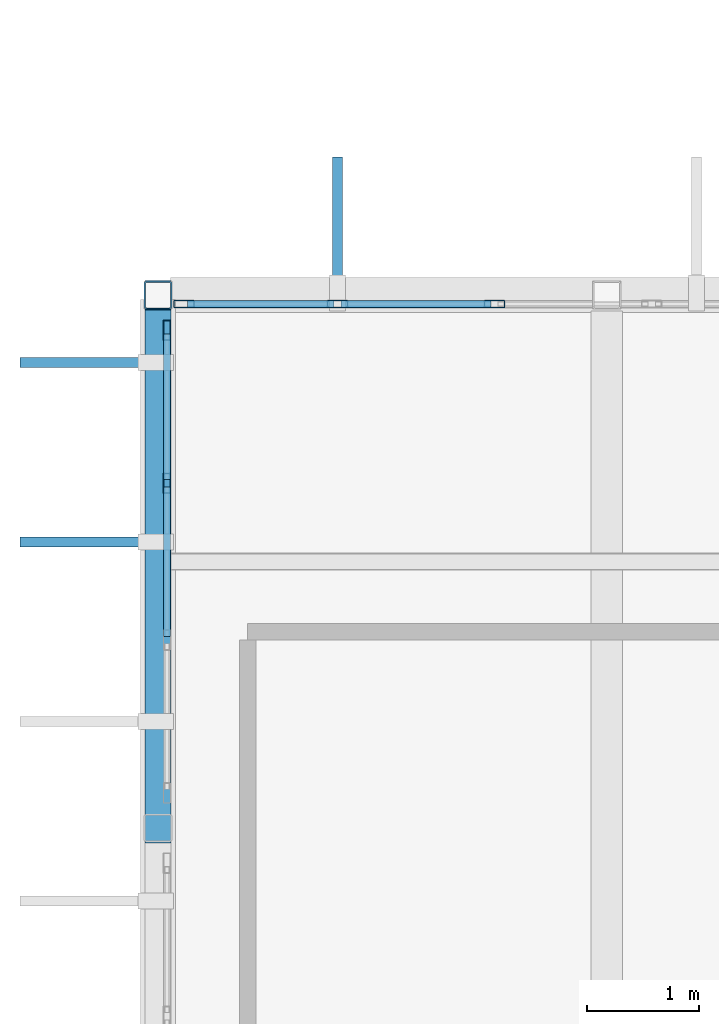
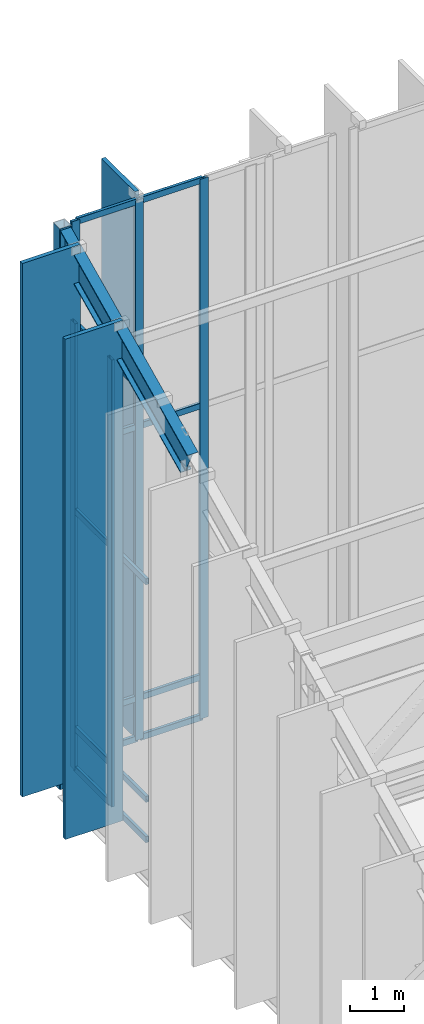
# One storey, part 29 of 68: 25 members, 1 beam, 2 elements without a shape of their own.
"""IFC4 building model written with IfcOpenShell, lengths in metres."""

from ifc_helpers import new_model, si_unit, direction, frame, origin, origin_2d, place, context, subcontext, project, spatial, rectangle, hollow_rectangle, i_section, extrude, material, material_profile, profile_set, type_object, element, aggregate, save


model = new_model("IFC4")

# Units and contexts
model_context = context("Model", 3, precision=1e-05, world=origin(), true_north=direction((0.0, 1.0)))
body_context = subcontext(model_context, "Body", "Model", "MODEL_VIEW")
ifc_project = project(units=[si_unit("LENGTHUNIT", "METRE"), si_unit("AREAUNIT", "SQUARE_METRE"), si_unit("VOLUMEUNIT", "CUBIC_METRE"), si_unit("PLANEANGLEUNIT", "RADIAN"), si_unit("MASSUNIT", "GRAM", prefix="KILO")], contexts=[model_context])

# Site, building, storey
site_placement = place(None, origin())
site = spatial("IfcSite", under=ifc_project, at=site_placement, CompositionType="ELEMENT")
building_placement = place(site_placement, origin())
building = spatial("IfcBuilding", under=site, at=building_placement, Name="Miravela Opera House", CompositionType="ELEMENT")
storey_placement = place(building_placement, frame((0.0, 0.0, 21.760009765625)))
storey = spatial("IfcBuildingStorey", under=building, at=storey_placement, Name="L05", CompositionType="ELEMENT", Elevation=21.760009765625)

# Curtain wall, members
ifc_material_1 = material(Name="Anodised architectural bronze aluminium 6063-T6", Category="aluminium")
curtain_wall_type = type_object("IfcCurtainWallType", Name="ARC-CW-03", PredefinedType="NOTDEFINED", material=ifc_material_1)
curtain_wall_1_placement = place(storey_placement, origin())
curtain_wall_1 = element("IfcCurtainWall", 1, at=curtain_wall_1_placement, inside=storey, type_object=curtain_wall_type, Name="Cantilever West Wrapper Glazing B8 CW-L05-054", PredefinedType="NOTDEFINED")
ifc_material_profile_1 = material_profile(ifc_material_1, hollow_rectangle(XDim=0.06494140625, YDim=0.179931640625, WallThickness=0.00390625, InnerFilletRadius=0.001953125, OuterFilletRadius=0.00390625, at=origin_2d()), Name="CWM-65X180")
ifc_profile_set_1 = profile_set([ifc_material_profile_1])
member_type_1 = type_object("IfcMemberType", Name="ARC-CWM-180", PredefinedType="MULLION", material=ifc_profile_set_1)
member_1_placement = place(storey_placement, frame((15.080078125, 73.3232421875, 0.0), z_axis=(0.0, 0.0, 1.0), x_axis=(-1.0, 0.0, 0.0)))
member_1 = element("IfcMember", 2, at=member_1_placement, type_object=member_type_1, Name="CW-03 mullion 3", PredefinedType="MULLION", context=body_context, shape_type="SweptSolid", body=[
    extrude(hollow_rectangle(XDim=0.06494140625, YDim=0.179931640625, WallThickness=0.00390625, InnerFilletRadius=0.001953125, OuterFilletRadius=0.00390625, at=origin_2d()), origin(), (0.0, 0.0, 1.0), 10.192626953125),
])
member_2_placement = place(storey_placement, frame((15.080078125, 74.6875, 0.0), z_axis=(0.0, 0.0, 1.0), x_axis=(-1.0, 0.0, 0.0)))
member_2 = element("IfcMember", 3, at=member_2_placement, type_object=member_type_1, Name="CW-03 mullion 4", PredefinedType="MULLION", context=body_context, shape_type="SweptSolid", body=[
    extrude(hollow_rectangle(XDim=0.06494140625, YDim=0.179931640625, WallThickness=0.00390625, InnerFilletRadius=0.001953125, OuterFilletRadius=0.00390625, at=origin_2d()), origin(), (0.0, 0.0, 1.0), 10.192626953125),
])

curtain_wall_2_placement = place(storey_placement, origin())
curtain_wall_2 = element("IfcCurtainWall", 4, at=curtain_wall_2_placement, inside=storey, type_object=curtain_wall_type, Name="Auditorium North Wrapper Glazing CW-L05-055", PredefinedType="NOTDEFINED")
member_3_placement = place(storey_placement, frame((15.232421875, 74.919921875, 0.0), z_axis=(0.0, 0.0, 1.0), x_axis=(0.0, 1.0, 0.0)))
member_3 = element("IfcMember", 5, at=member_3_placement, type_object=member_type_1, Name="CW-03 mullion 1", PredefinedType="MULLION", context=body_context, shape_type="SweptSolid", body=[
    extrude(hollow_rectangle(XDim=0.06494140625, YDim=0.179931640625, WallThickness=0.00390625, InnerFilletRadius=0.001953125, OuterFilletRadius=0.00390625, at=origin_2d()), origin(), (0.0, 0.0, 1.0), 12.31005859375),
])
member_4_placement = place(storey_placement, frame((16.60009765625, 74.919921875, 0.0), z_axis=(0.0, 0.0, 1.0), x_axis=(0.0, 1.0, 0.0)))
member_4 = element("IfcMember", 6, at=member_4_placement, type_object=member_type_1, Name="CW-03 mullion 2", PredefinedType="MULLION", context=body_context, shape_type="SweptSolid", body=[
    extrude(hollow_rectangle(XDim=0.06494140625, YDim=0.179931640625, WallThickness=0.00390625, InnerFilletRadius=0.001953125, OuterFilletRadius=0.00390625, at=origin_2d()), origin(), (0.0, 0.0, 1.0), 12.31005859375),
])
member_5_placement = place(storey_placement, frame((18.0, 74.919921875, 0.0), z_axis=(0.0, 0.0, 1.0), x_axis=(0.0, 1.0, 0.0)))
member_5 = element("IfcMember", 7, at=member_5_placement, type_object=member_type_1, Name="CW-03 mullion 3", PredefinedType="MULLION", context=body_context, shape_type="SweptSolid", body=[
    extrude(hollow_rectangle(XDim=0.06494140625, YDim=0.179931640625, WallThickness=0.00390625, InnerFilletRadius=0.001953125, OuterFilletRadius=0.00390625, at=origin_2d()), origin(), (0.0, 0.0, 1.0), 12.31005859375),
])

# Member
ifc_material_profile_2 = material_profile(ifc_material_1, hollow_rectangle(XDim=0.06494140625, YDim=0.139892578125, WallThickness=0.00390625, InnerFilletRadius=0.001953125, OuterFilletRadius=0.00390625, at=origin_2d()), Name="CWT-65X140")
ifc_profile_set_2 = profile_set([ifc_material_profile_2])
member_type_2 = type_object("IfcMemberType", Name="ARC-CWT-140", PredefinedType="USERDEFINED", material=ifc_profile_set_2)
member_6_placement = place(storey_placement, frame((15.080078125, 71.959228515625, 0.032470703125), z_axis=(0.0, 1.0, 0.0), x_axis=(-1.0, 0.0, 0.0)))
member_6 = element("IfcMember", 8, at=member_6_placement, type_object=member_type_2, Name="CW-03 transom 2.1", ObjectType="TRANSOM", PredefinedType="USERDEFINED", context=body_context, shape_type="SweptSolid", body=[
    extrude(hollow_rectangle(XDim=0.06494140625, YDim=0.139892578125, WallThickness=0.00390625, InnerFilletRadius=0.001953125, OuterFilletRadius=0.00390625, at=origin_2d()), origin(), (0.0, 0.0, 1.0), 1.33154296875),
])

member_7_placement = place(storey_placement, frame((15.080078125, 71.959228515625, 0.949951171875), z_axis=(0.0, 1.0, 0.0), x_axis=(-1.0, 0.0, 0.0)))
member_7 = element("IfcMember", 9, at=member_7_placement, type_object=member_type_2, Name="CW-03 transom 2.2", ObjectType="TRANSOM", PredefinedType="USERDEFINED", context=body_context, shape_type="SweptSolid", body=[
    extrude(hollow_rectangle(XDim=0.06494140625, YDim=0.139892578125, WallThickness=0.00390625, InnerFilletRadius=0.001953125, OuterFilletRadius=0.00390625, at=origin_2d()), origin(), (0.0, 0.0, 1.0), 1.33154296875),
])

member_8_placement = place(storey_placement, frame((15.080078125, 71.959228515625, 5.91162109375), z_axis=(0.0, 1.0, 0.0), x_axis=(-1.0, 0.0, 0.0)))
member_8 = element("IfcMember", 10, at=member_8_placement, type_object=member_type_2, Name="CW-03 transom 2.3", ObjectType="TRANSOM", PredefinedType="USERDEFINED", context=body_context, shape_type="SweptSolid", body=[
    extrude(hollow_rectangle(XDim=0.06494140625, YDim=0.139892578125, WallThickness=0.00390625, InnerFilletRadius=0.001953125, OuterFilletRadius=0.00390625, at=origin_2d()), origin(), (0.0, 0.0, 1.0), 1.33154296875),
])

member_9_placement = place(storey_placement, frame((15.080078125, 71.959228515625, 10.16015625), z_axis=(0.0, 1.0, 0.0), x_axis=(-1.0, 0.0, 0.0)))
member_9 = element("IfcMember", 11, at=member_9_placement, type_object=member_type_2, Name="CW-03 transom 2.4", ObjectType="TRANSOM", PredefinedType="USERDEFINED", context=body_context, shape_type="SweptSolid", body=[
    extrude(hollow_rectangle(XDim=0.06494140625, YDim=0.139892578125, WallThickness=0.00390625, InnerFilletRadius=0.001953125, OuterFilletRadius=0.00390625, at=origin_2d()), origin(), (0.0, 0.0, 1.0), 1.33154296875),
])

member_10_placement = place(storey_placement, frame((15.080078125, 73.355712890625, 0.032470703125), z_axis=(0.0, 1.0, 0.0), x_axis=(-1.0, 0.0, 0.0)))
member_10 = element("IfcMember", 12, at=member_10_placement, type_object=member_type_2, Name="CW-03 transom 3.1", ObjectType="TRANSOM", PredefinedType="USERDEFINED", context=body_context, shape_type="SweptSolid", body=[
    extrude(hollow_rectangle(XDim=0.06494140625, YDim=0.139892578125, WallThickness=0.00390625, InnerFilletRadius=0.001953125, OuterFilletRadius=0.00390625, at=origin_2d()), origin(), (0.0, 0.0, 1.0), 1.29931640625),
])

member_11_placement = place(storey_placement, frame((15.080078125, 73.355712890625, 0.949951171875), z_axis=(0.0, 1.0, 0.0), x_axis=(-1.0, 0.0, 0.0)))
member_11 = element("IfcMember", 13, at=member_11_placement, type_object=member_type_2, Name="CW-03 transom 3.2", ObjectType="TRANSOM", PredefinedType="USERDEFINED", context=body_context, shape_type="SweptSolid", body=[
    extrude(hollow_rectangle(XDim=0.06494140625, YDim=0.139892578125, WallThickness=0.00390625, InnerFilletRadius=0.001953125, OuterFilletRadius=0.00390625, at=origin_2d()), origin(), (0.0, 0.0, 1.0), 1.29931640625),
])

member_12_placement = place(storey_placement, frame((15.080078125, 73.355712890625, 5.91162109375), z_axis=(0.0, 1.0, 0.0), x_axis=(-1.0, 0.0, 0.0)))
member_12 = element("IfcMember", 14, at=member_12_placement, type_object=member_type_2, Name="CW-03 transom 3.3", ObjectType="TRANSOM", PredefinedType="USERDEFINED", context=body_context, shape_type="SweptSolid", body=[
    extrude(hollow_rectangle(XDim=0.06494140625, YDim=0.139892578125, WallThickness=0.00390625, InnerFilletRadius=0.001953125, OuterFilletRadius=0.00390625, at=origin_2d()), origin(), (0.0, 0.0, 1.0), 1.29931640625),
])

member_13_placement = place(storey_placement, frame((15.080078125, 73.355712890625, 10.16015625), z_axis=(0.0, 1.0, 0.0), x_axis=(-1.0, 0.0, 0.0)))
member_13 = element("IfcMember", 15, at=member_13_placement, type_object=member_type_2, Name="CW-03 transom 3.4", ObjectType="TRANSOM", PredefinedType="USERDEFINED", context=body_context, shape_type="SweptSolid", body=[
    extrude(hollow_rectangle(XDim=0.06494140625, YDim=0.139892578125, WallThickness=0.00390625, InnerFilletRadius=0.001953125, OuterFilletRadius=0.00390625, at=origin_2d()), origin(), (0.0, 0.0, 1.0), 1.29931640625),
])

aggregate(curtain_wall_1, [member_1, member_2, member_6, member_7, member_8, member_9, member_10, member_11, member_12, member_13])

member_14_placement = place(storey_placement, frame((15.264892578125, 74.919921875, 0.032470703125), z_axis=(1.0, 0.0, 0.0), x_axis=(0.0, 1.0, 0.0)))
member_14 = element("IfcMember", 16, at=member_14_placement, type_object=member_type_2, Name="CW-03 transom 1.1", ObjectType="TRANSOM", PredefinedType="USERDEFINED", context=body_context, shape_type="SweptSolid", body=[
    extrude(hollow_rectangle(XDim=0.06494140625, YDim=0.139892578125, WallThickness=0.00390625, InnerFilletRadius=0.001953125, OuterFilletRadius=0.00390625, at=origin_2d()), origin(), (0.0, 0.0, 1.0), 1.302490234375),
])

member_15_placement = place(storey_placement, frame((15.264892578125, 74.919921875, 0.949951171875), z_axis=(1.0, 0.0, 0.0), x_axis=(0.0, 1.0, 0.0)))
member_15 = element("IfcMember", 17, at=member_15_placement, type_object=member_type_2, Name="CW-03 transom 1.2", ObjectType="TRANSOM", PredefinedType="USERDEFINED", context=body_context, shape_type="SweptSolid", body=[
    extrude(hollow_rectangle(XDim=0.06494140625, YDim=0.139892578125, WallThickness=0.00390625, InnerFilletRadius=0.001953125, OuterFilletRadius=0.00390625, at=origin_2d()), origin(), (0.0, 0.0, 1.0), 1.302490234375),
])

member_16_placement = place(storey_placement, frame((15.264892578125, 74.919921875, 7.139892578125), z_axis=(1.0, 0.0, 0.0), x_axis=(0.0, 1.0, 0.0)))
member_16 = element("IfcMember", 18, at=member_16_placement, type_object=member_type_2, Name="CW-03 transom 1.3", ObjectType="TRANSOM", PredefinedType="USERDEFINED", context=body_context, shape_type="SweptSolid", body=[
    extrude(hollow_rectangle(XDim=0.06494140625, YDim=0.139892578125, WallThickness=0.00390625, InnerFilletRadius=0.001953125, OuterFilletRadius=0.00390625, at=origin_2d()), origin(), (0.0, 0.0, 1.0), 1.302490234375),
])

member_17_placement = place(storey_placement, frame((15.264892578125, 74.919921875, 12.277587890625), z_axis=(1.0, 0.0, 0.0), x_axis=(0.0, 1.0, 0.0)))
member_17 = element("IfcMember", 19, at=member_17_placement, type_object=member_type_2, Name="CW-03 transom 1.4", ObjectType="TRANSOM", PredefinedType="USERDEFINED", context=body_context, shape_type="SweptSolid", body=[
    extrude(hollow_rectangle(XDim=0.06494140625, YDim=0.139892578125, WallThickness=0.00390625, InnerFilletRadius=0.001953125, OuterFilletRadius=0.00390625, at=origin_2d()), origin(), (0.0, 0.0, 1.0), 1.302490234375),
])

member_18_placement = place(storey_placement, frame((16.632568359375, 74.919921875, 0.032470703125), z_axis=(1.0, 0.0, 0.0), x_axis=(0.0, 1.0, 0.0)))
member_18 = element("IfcMember", 20, at=member_18_placement, type_object=member_type_2, Name="CW-03 transom 2.1", ObjectType="TRANSOM", PredefinedType="USERDEFINED", context=body_context, shape_type="SweptSolid", body=[
    extrude(hollow_rectangle(XDim=0.06494140625, YDim=0.139892578125, WallThickness=0.00390625, InnerFilletRadius=0.001953125, OuterFilletRadius=0.00390625, at=origin_2d()), origin(), (0.0, 0.0, 1.0), 1.3349609375),
])

member_19_placement = place(storey_placement, frame((16.632568359375, 74.919921875, 0.949951171875), z_axis=(1.0, 0.0, 0.0), x_axis=(0.0, 1.0, 0.0)))
member_19 = element("IfcMember", 21, at=member_19_placement, type_object=member_type_2, Name="CW-03 transom 2.2", ObjectType="TRANSOM", PredefinedType="USERDEFINED", context=body_context, shape_type="SweptSolid", body=[
    extrude(hollow_rectangle(XDim=0.06494140625, YDim=0.139892578125, WallThickness=0.00390625, InnerFilletRadius=0.001953125, OuterFilletRadius=0.00390625, at=origin_2d()), origin(), (0.0, 0.0, 1.0), 1.3349609375),
])

member_20_placement = place(storey_placement, frame((16.632568359375, 74.919921875, 7.139892578125), z_axis=(1.0, 0.0, 0.0), x_axis=(0.0, 1.0, 0.0)))
member_20 = element("IfcMember", 22, at=member_20_placement, type_object=member_type_2, Name="CW-03 transom 2.3", ObjectType="TRANSOM", PredefinedType="USERDEFINED", context=body_context, shape_type="SweptSolid", body=[
    extrude(hollow_rectangle(XDim=0.06494140625, YDim=0.139892578125, WallThickness=0.00390625, InnerFilletRadius=0.001953125, OuterFilletRadius=0.00390625, at=origin_2d()), origin(), (0.0, 0.0, 1.0), 1.3349609375),
])

member_21_placement = place(storey_placement, frame((16.632568359375, 74.919921875, 12.277587890625), z_axis=(1.0, 0.0, 0.0), x_axis=(0.0, 1.0, 0.0)))
member_21 = element("IfcMember", 23, at=member_21_placement, type_object=member_type_2, Name="CW-03 transom 2.4", ObjectType="TRANSOM", PredefinedType="USERDEFINED", context=body_context, shape_type="SweptSolid", body=[
    extrude(hollow_rectangle(XDim=0.06494140625, YDim=0.139892578125, WallThickness=0.00390625, InnerFilletRadius=0.001953125, OuterFilletRadius=0.00390625, at=origin_2d()), origin(), (0.0, 0.0, 1.0), 1.3349609375),
])

aggregate(curtain_wall_2, [member_3, member_4, member_5, member_14, member_15, member_16, member_17, member_18, member_19, member_20, member_21])

# Members
ifc_material_profile_3 = material_profile(ifc_material_1, rectangle(XDim=0.090087890625, YDim=1.25, at=origin_2d()), Name="FIN-1250X90")
ifc_profile_set_3 = profile_set([ifc_material_profile_3])
member_type_3 = type_object("IfcMemberType", Name="ARC-FIN-1250", PredefinedType="USERDEFINED", material=ifc_profile_set_3)
member_22_placement = place(storey_placement, frame((14.39501953125, 72.800048828125, 0.0), z_axis=(0.0, 0.0, 1.0), x_axis=(0.0, 1.0, 0.0)))
element("IfcMember", 24, at=member_22_placement, inside=storey, type_object=member_type_3, Name="Auditorium Wrapper Bronze Solar Fin FIN-L05-WEST-0163", ObjectType="FIN", PredefinedType="USERDEFINED", context=body_context, shape_type="SweptSolid", body=[
    extrude(rectangle(XDim=0.090087890625, YDim=1.25, at=origin_2d()), origin(), (0.0, 0.0, 1.0), 11.407958984375),
])
member_23_placement = place(storey_placement, frame((14.39501953125, 74.39990234375, 0.0), z_axis=(0.0, 0.0, 1.0), x_axis=(0.0, 1.0, 0.0)))
element("IfcMember", 25, at=member_23_placement, inside=storey, type_object=member_type_3, Name="Auditorium Wrapper Bronze Solar Fin FIN-L05-WEST-0164", ObjectType="FIN", PredefinedType="USERDEFINED", context=body_context, shape_type="SweptSolid", body=[
    extrude(rectangle(XDim=0.090087890625, YDim=1.25, at=origin_2d()), origin(), (0.0, 0.0, 1.0), 12.165771484375),
])
member_24_placement = place(storey_placement, frame((16.60009765625, 75.60498046875, 0.0), z_axis=(0.0, 0.0, 1.0), x_axis=(1.0, 0.0, 0.0)))
element("IfcMember", 26, at=member_24_placement, inside=storey, type_object=member_type_3, Name="Auditorium Wrapper Bronze Solar Fin FIN-L05-NORTH-0165", ObjectType="FIN", PredefinedType="USERDEFINED", context=body_context, shape_type="SweptSolid", body=[
    extrude(rectangle(XDim=0.090087890625, YDim=1.25, at=origin_2d()), origin(), (0.0, 0.0, 1.0), 12.449951171875),
])

# Beam
ifc_material_2 = material(Name="Structural steel ASTM A992 Gr. 50", Category="steel")
ifc_material_profile_4 = material_profile(ifc_material_2, i_section(OverallWidth=0.22998046875, OverallDepth=0.616943359375, WebThickness=0.01318359375, FlangeThickness=0.022216796875, FilletRadius=0.01806640625, at=origin_2d()), Name="W610X140")
ifc_profile_set_4 = profile_set([ifc_material_profile_4])
beam_type = type_object("IfcBeamType", Name="STR-BM-W610X140", PredefinedType="BEAM", material=ifc_profile_set_4)
beam_placement = place(storey_placement, frame((15.0, 70.25, 9.689453125), z_axis=(0.0, 0.903737838894, 0.428086344739), x_axis=(-1.0, 0.0, 0.0)))
element("IfcBeam", 27, at=beam_placement, inside=storey, type_object=beam_type, Name="V-Crest Roof Rafter Girder X=15 Seg 8", PredefinedType="BEAM", context=body_context, shape_type="SweptSolid", body=[
    extrude(i_section(OverallWidth=0.22998046875, OverallDepth=0.616943359375, WebThickness=0.01318359375, FlangeThickness=0.022216796875, FilletRadius=0.01806640625, at=origin_2d()), origin(), (0.0, 0.0, 1.0), 5.255859375),
])

# Member
ifc_material_3 = material(Name="Hollow structural steel ASTM A500 Gr. C", Category="steel")
ifc_material_profile_5 = material_profile(ifc_material_3, hollow_rectangle(XDim=0.25, YDim=0.25, WallThickness=0.011962890625, InnerFilletRadius=0.011962890625, OuterFilletRadius=0.02392578125, at=origin_2d()), Name="HSS250X250X12")
ifc_profile_set_5 = profile_set([ifc_material_profile_5])
member_type_4 = type_object("IfcMemberType", Name="STR-MEM-CANT-POST2", PredefinedType="POST", material=ifc_profile_set_5)
member_25_placement = place(storey_placement, frame((15.0, 75.0, -0.5400390625), z_axis=(0.0, 0.0, 1.0), x_axis=(1.0, 0.0, 0.0)))
element("IfcMember", 28, at=member_25_placement, inside=storey, type_object=member_type_4, Name="Upper Wrapper Truss Post L05 X=15.0", PredefinedType="POST", context=body_context, shape_type="SweptSolid", body=[
    extrude(hollow_rectangle(XDim=0.25, YDim=0.25, WallThickness=0.011962890625, InnerFilletRadius=0.011962890625, OuterFilletRadius=0.02392578125, at=origin_2d()), origin(), (0.0, 0.0, 1.0), 12.7900390625),
])

save(model, "model.ifc")
